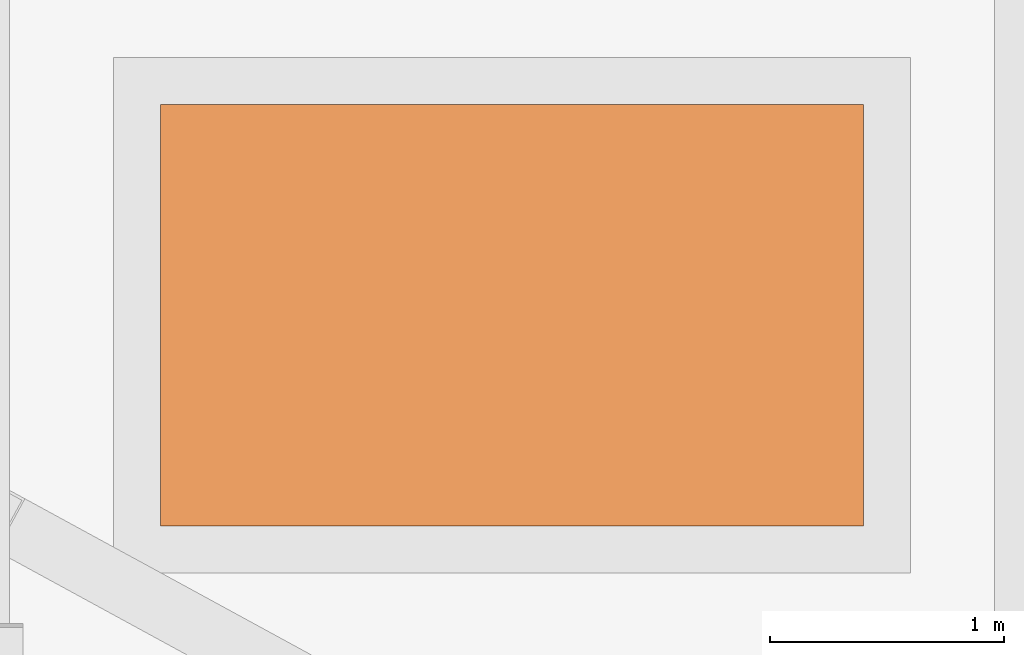
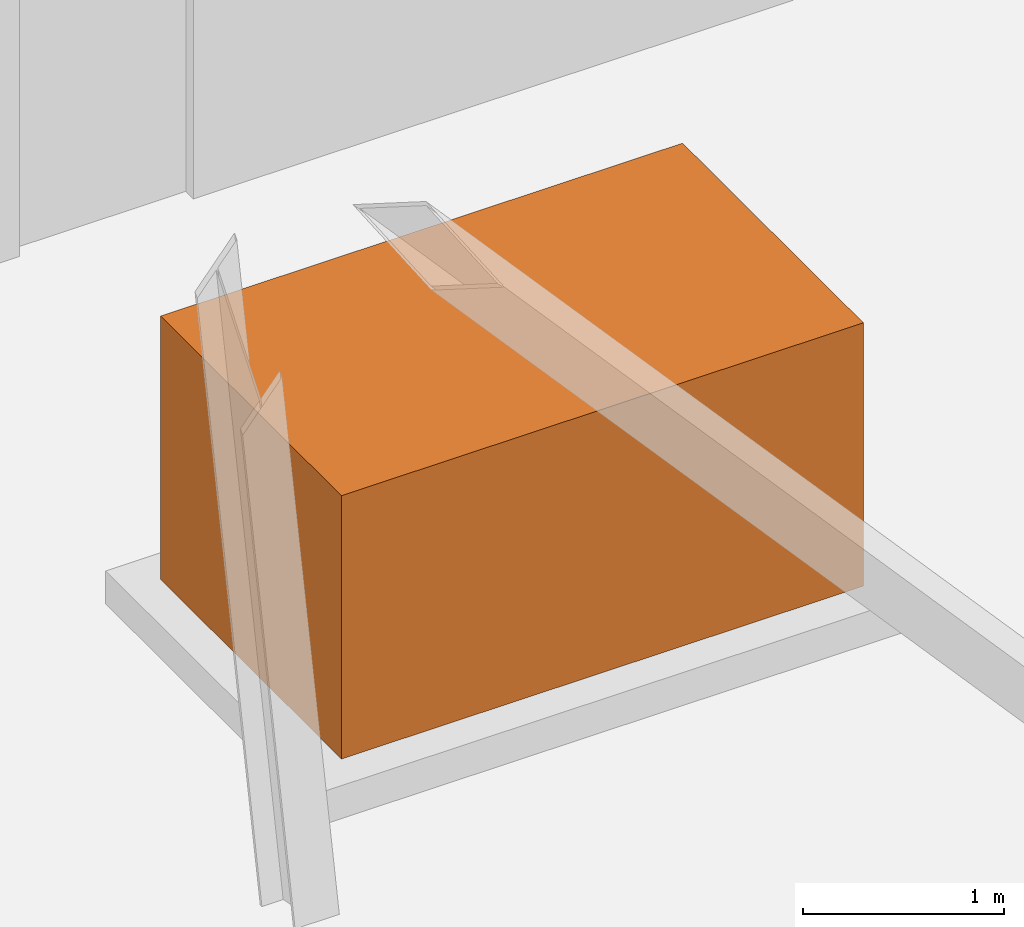
# One storey, part 14 of 14: 1 proxy.
"""IFC4 building model written with IfcOpenShell, lengths in metres."""

from ifc_helpers import new_model, si_unit, direction, frame, origin, origin_2d, place, context, subcontext, project, spatial, rectangle, extrude, element, save


model = new_model("IFC4")

# Units and contexts
model_context = context("Model", 3, precision=1e-05, world=origin(), true_north=direction((0.0, 1.0)))
body_context = subcontext(model_context, "Body", "Model", "MODEL_VIEW")
ifc_project = project(units=[si_unit("LENGTHUNIT", "METRE"), si_unit("AREAUNIT", "SQUARE_METRE"), si_unit("VOLUMEUNIT", "CUBIC_METRE"), si_unit("PLANEANGLEUNIT", "RADIAN"), si_unit("MASSUNIT", "GRAM", prefix="KILO")], contexts=[model_context])

# Site, building, storey
site_placement = place(None, origin())
site = spatial("IfcSite", under=ifc_project, at=site_placement, CompositionType="ELEMENT")
building_placement = place(site_placement, origin())
building = spatial("IfcBuilding", under=site, at=building_placement, Name="Bicima Exchange Tower", CompositionType="ELEMENT")
storey_placement = place(building_placement, frame((0.0, 0.0, 352.39990234375)))
storey = spatial("IfcBuildingStorey", under=building, at=storey_placement, Name="L79", CompositionType="ELEMENT", Elevation=352.39990234375)

# Proxy
proxy_placement = place(storey_placement, frame((-15.18505859375, -19.425048828125, 0.199951171875), z_axis=(0.0, 0.0, 1.0), x_axis=(1.0, 0.0, 0.0)))
element("IfcBuildingElementProxy", 1, at=proxy_placement, inside=storey, Name="Pump set L79", ObjectType="Pump set", PredefinedType="USERDEFINED", context=body_context, shape_type="SweptSolid", body=[
    extrude(rectangle(XDim=3.0, YDim=1.800048828125, at=origin_2d()), origin(), (0.0, 0.0, 1.0), 1.60009765625),
])

save(model, "model.ifc")
